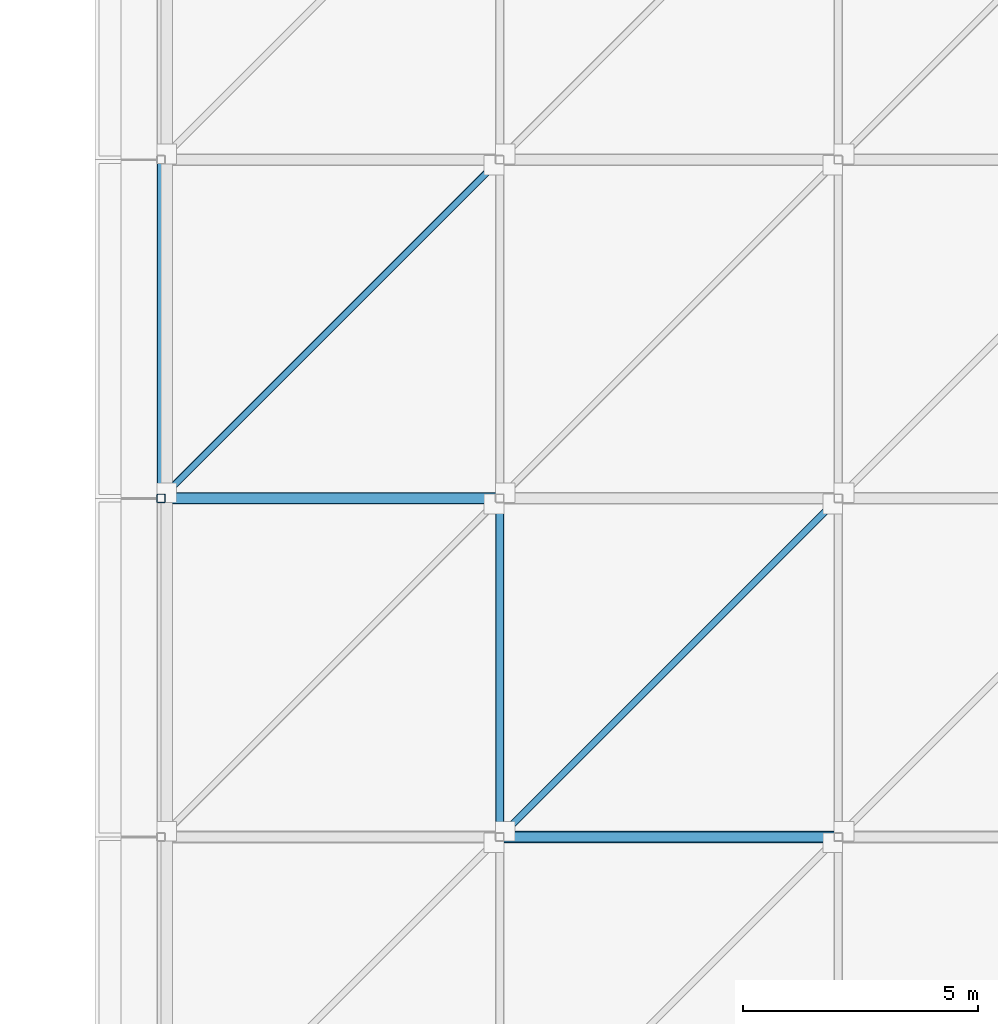
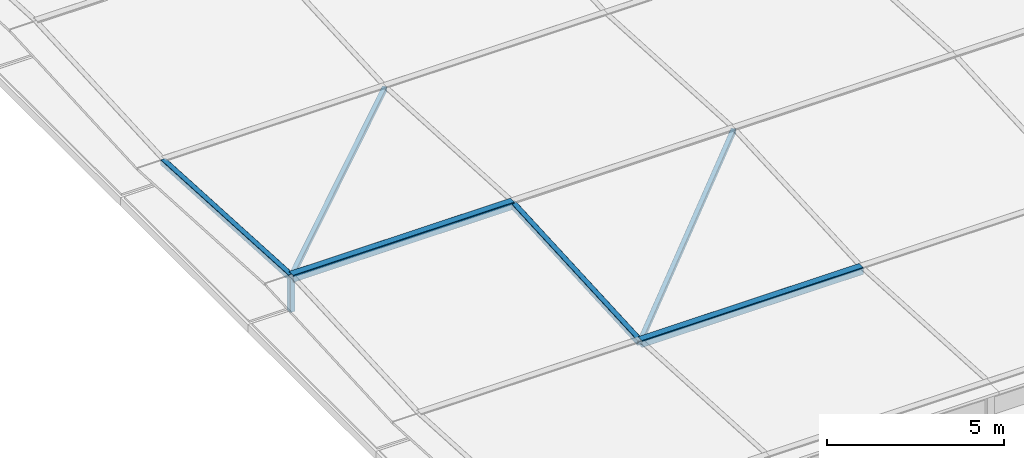
# One storey, part 2 of 15: 7 members.
"""IFC4 building model written with IfcOpenShell, lengths in metres."""

from ifc_helpers import new_model, si_unit, direction, frame, origin, origin_2d, place, context, subcontext, project, spatial, hollow_rectangle, extrude, material, material_profile, profile_set, type_object, element, save


model = new_model("IFC4")

# Units and contexts
model_context = context("Model", 3, precision=1e-05, world=origin(), true_north=direction((0.0, 1.0)))
body_context = subcontext(model_context, "Body", "Model", "MODEL_VIEW")
ifc_project = project(units=[si_unit("LENGTHUNIT", "METRE"), si_unit("AREAUNIT", "SQUARE_METRE"), si_unit("VOLUMEUNIT", "CUBIC_METRE"), si_unit("PLANEANGLEUNIT", "RADIAN"), si_unit("MASSUNIT", "GRAM", prefix="KILO")], contexts=[model_context])

# Site, building, storey
site_placement = place(None, origin())
site = spatial("IfcSite", under=ifc_project, at=site_placement, CompositionType="ELEMENT")
building_placement = place(site_placement, origin())
building = spatial("IfcBuilding", under=site, at=building_placement, Name="Kavelor Marine Aquarium", CompositionType="ELEMENT")
storey_placement = place(building_placement, frame((0.0, 0.0, 25.56005859375)))
storey = spatial("IfcBuildingStorey", under=building, at=storey_placement, Name="RF", CompositionType="ELEMENT", Elevation=25.56005859375)

# Members
ifc_material_1 = material(Name="Steel S355", Category="steel")
ifc_material_profile_1 = material_profile(ifc_material_1, hollow_rectangle(XDim=0.25, YDim=0.25, WallThickness=0.010009765625, InnerFilletRadius=0.014892578125, OuterFilletRadius=0.02490234375, at=origin_2d()), Name="SHS 250x250x10.0")
ifc_profile_set_1 = profile_set([ifc_material_profile_1], Name="Steel S355")
member_type_1 = type_object("IfcMemberType", Name="ST-PV1", PredefinedType="CHORD", material=ifc_profile_set_1)
member_1_placement = place(storey_placement, frame((118.39990234375, 82.0, 1.14990234375), z_axis=(1.0, 0.0, 0.0), x_axis=(0.0, 1.0, 0.0)))
element("IfcMember", 1, at=member_1_placement, inside=storey, type_object=member_type_1, Name="pv:x1:16_11", PredefinedType="CHORD", context=body_context, shape_type="SweptSolid", body=[
    extrude(hollow_rectangle(XDim=0.25, YDim=0.25, WallThickness=0.010009765625, InnerFilletRadius=0.014892578125, OuterFilletRadius=0.02490234375, at=origin_2d()), origin(), (0.0, 0.0, 1.0), 7.2001953125),
])
member_2_placement = place(storey_placement, frame((125.60009765625, 74.800048828125, 0.75), z_axis=(1.0, 0.0, 0.0), x_axis=(0.0, 1.0, 0.0)))
element("IfcMember", 2, at=member_2_placement, inside=storey, type_object=member_type_1, Name="pv:x1:17_10", PredefinedType="CHORD", context=body_context, shape_type="SweptSolid", body=[
    extrude(hollow_rectangle(XDim=0.25, YDim=0.25, WallThickness=0.010009765625, InnerFilletRadius=0.014892578125, OuterFilletRadius=0.02490234375, at=origin_2d()), origin(), (0.0, 0.0, 1.0), 7.199951171875),
])
ifc_material_2 = material(Name="Steel S355", Category="steel")
ifc_material_profile_2 = material_profile(ifc_material_2, hollow_rectangle(XDim=0.179931640625, YDim=0.179931640625, WallThickness=0.008056640625, InnerFilletRadius=0.011962890625, OuterFilletRadius=0.02001953125, at=origin_2d()), Name="SHS 180x180x8.0")
ifc_profile_set_2 = profile_set([ifc_material_profile_2], Name="Steel S355")
member_type_2 = type_object("IfcMemberType", Name="ST-PV2", PredefinedType="CHORD", material=ifc_profile_set_2)
member_3_placement = place(storey_placement, frame((118.39990234375, 82.0, 0.0), z_axis=(0.0, 0.0, 1.0), x_axis=(1.0, 0.0, 0.0)))
element("IfcMember", 3, at=member_3_placement, inside=storey, type_object=member_type_2, Name="pv:p:16_11", PredefinedType="CHORD", context=body_context, shape_type="SweptSolid", body=[
    extrude(hollow_rectangle(XDim=0.179931640625, YDim=0.179931640625, WallThickness=0.008056640625, InnerFilletRadius=0.011962890625, OuterFilletRadius=0.02001953125, at=origin_2d()), origin(), (0.0, 0.0, 1.0), 1.14990234375),
])
for number, where, z_axis, x_axis, name in (
    (4, (125.60009765625, 74.800048828125, 0.75), (0.0, 0.998461082335, 0.055456893726), (-1.0, 0.0, 0.0), "pv:r2:16_10"),
    (5, (118.39990234375, 82.0, 1.14990234375), (0.0, 0.998461082335, -0.055456893726), (-1.0, 0.0, 0.0), "pv:r1:16_11"),
):
    element("IfcMember", number, at=place(storey_placement, frame(where, z_axis=z_axis, x_axis=x_axis)), inside=storey, type_object=member_type_2, Name=name, PredefinedType="CHORD", context=body_context, shape_type="SweptSolid", body=[
        extrude(hollow_rectangle(XDim=0.179931640625, YDim=0.179931640625, WallThickness=0.008056640625, InnerFilletRadius=0.011962890625, OuterFilletRadius=0.02001953125, at=origin_2d()), origin(), (0.0, 0.0, 1.0), 7.2109375),
    ])
ifc_material_3 = material(Name="Steel S355", Category="steel")
ifc_material_profile_3 = material_profile(ifc_material_3, hollow_rectangle(XDim=0.14990234375, YDim=0.14990234375, WallThickness=0.00634765625, InnerFilletRadius=0.009521484375, OuterFilletRadius=0.015869140625, at=origin_2d()), Name="SHS 150x150x6.3")
ifc_profile_set_3 = profile_set([ifc_material_profile_3], Name="Steel S355")
member_type_3 = type_object("IfcMemberType", Name="ST-PV3", PredefinedType="BRACE", material=ifc_profile_set_3)
for number, where, z_axis, x_axis, name in (
    (6, (118.39990234375, 82.0, 1.14990234375), (0.706574060591, 0.706550102431, -0.039243466406), (-0.70709479277, 0.7071187694, 0.0), "pv:br:16_11"),
    (7, (125.60009765625, 74.800048828125, 0.75), (0.706562063163, 0.706562063163, 0.039244130733), (-0.707106781187, 0.707106781187, 0.0), "pv:br:17_10"),
):
    element("IfcMember", number, at=place(storey_placement, frame(where, z_axis=z_axis, x_axis=x_axis)), inside=storey, type_object=member_type_3, Name=name, PredefinedType="BRACE", context=body_context, shape_type="SweptSolid", body=[
        extrude(hollow_rectangle(XDim=0.14990234375, YDim=0.14990234375, WallThickness=0.00634765625, InnerFilletRadius=0.009521484375, OuterFilletRadius=0.015869140625, at=origin_2d()), origin(), (0.0, 0.0, 1.0), 10.190185546875),
    ])

save(model, "model.ifc")
